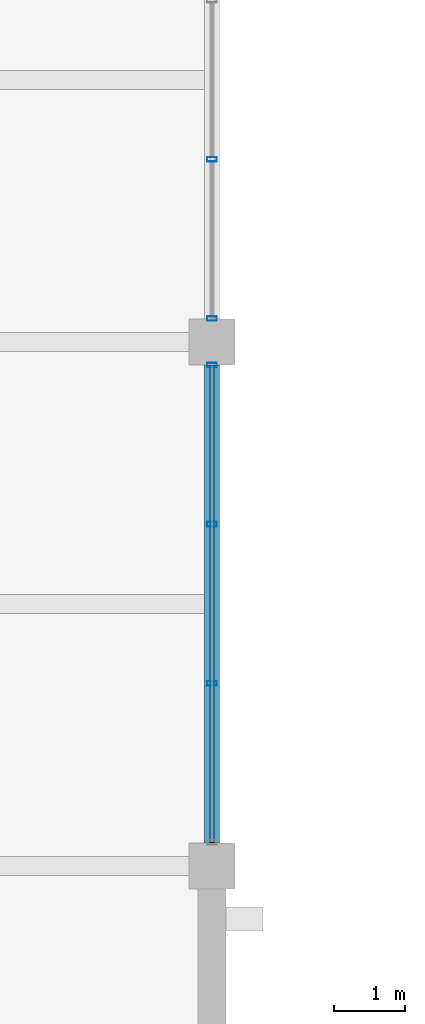
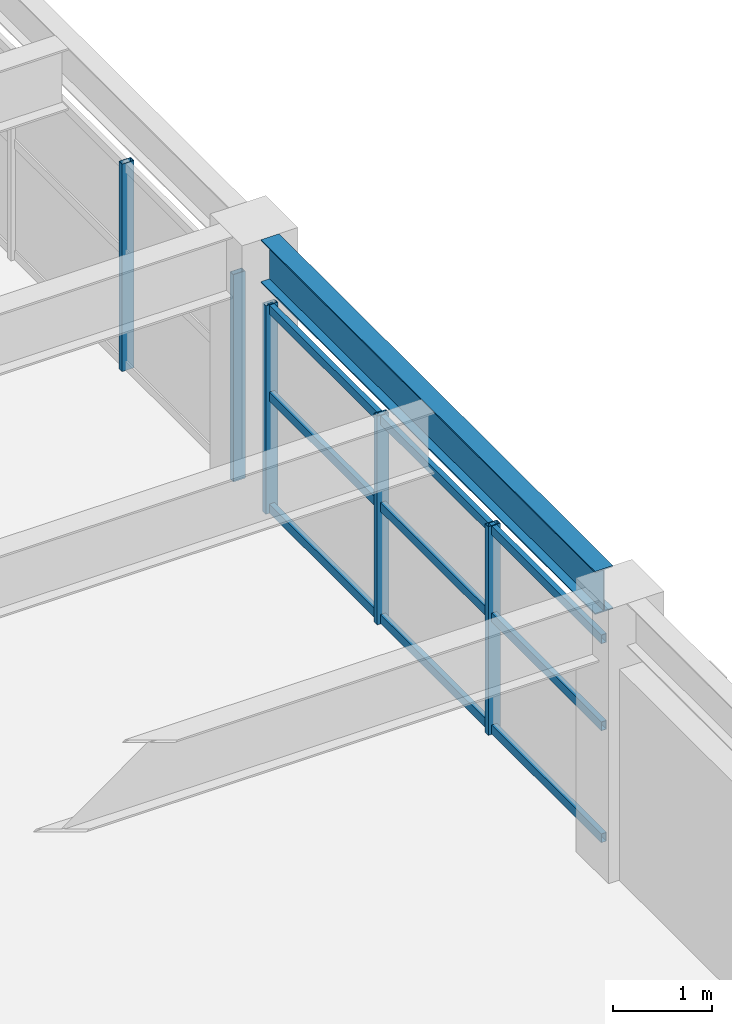
# One storey, part 38 of 93: 8 members, 1 beam, 2 elements without a shape of their own.
"""IFC4 building model written with IfcOpenShell, lengths in metres."""

from ifc_helpers import new_model, si_unit, direction, frame, origin, origin_2d, place, context, subcontext, project, spatial, hollow_rectangle, i_section, extrude, material, material_profile, profile_set, type_object, element, aggregate, save


model = new_model("IFC4")

# Units and contexts
model_context = context("Model", 3, precision=1e-05, world=origin(), true_north=direction((0.0, 1.0)))
body_context = subcontext(model_context, "Body", "Model", "MODEL_VIEW")
ifc_project = project(units=[si_unit("LENGTHUNIT", "METRE"), si_unit("AREAUNIT", "SQUARE_METRE"), si_unit("VOLUMEUNIT", "CUBIC_METRE"), si_unit("PLANEANGLEUNIT", "RADIAN"), si_unit("MASSUNIT", "GRAM", prefix="KILO")], contexts=[model_context])

# Site, building, storey
site_placement = place(None, origin())
site = spatial("IfcSite", under=ifc_project, at=site_placement, CompositionType="ELEMENT")
building_placement = place(site_placement, origin())
building = spatial("IfcBuilding", under=site, at=building_placement, Name="Cimatlan Art Gallery", CompositionType="ELEMENT")
storey_placement = place(building_placement, frame((0.0, 0.0, 13.800048828125)))
storey = spatial("IfcBuildingStorey", under=building, at=storey_placement, Name="L03", CompositionType="ELEMENT", Elevation=13.800048828125)

# Beam
ifc_material_1 = material(Name="Steel ASTM A992 Grade 50", Category="steel")
ifc_material_profile_1 = material_profile(ifc_material_1, i_section(OverallWidth=0.2099609375, OverallDepth=0.532958984375, WebThickness=0.01025390625, FlangeThickness=0.015625, at=origin_2d()), Name="W21X62")
ifc_profile_set_1 = profile_set([ifc_material_profile_1], Name="Steel ASTM A992 Grade 50")
beam_type = type_object("IfcBeamType", Name="BM-STL-W21X62", PredefinedType="BEAM", material=ifc_profile_set_1)
beam_placement = place(storey_placement, frame((99.199951171875, 39.02490234375, 3.113525390625), z_axis=(0.0, 1.0, 0.0), x_axis=(-1.0, 0.0, 0.0)))
element("IfcBeam", 1, at=beam_placement, inside=storey, type_object=beam_type, Name="BM-Y-L03-12-05", PredefinedType="BEAM", context=body_context, shape_type="SweptSolid", body=[
    extrude(i_section(OverallWidth=0.2099609375, OverallDepth=0.532958984375, WebThickness=0.01025390625, FlangeThickness=0.015625, at=origin_2d()), origin(), (0.0, 0.0, 1.0), 6.75),
])

# Curtain wall, members
ifc_material_2 = material(Name="Anodised bronze unitised curtain wall")
curtain_wall_type_1 = type_object("IfcCurtainWallType", Name="CW-V-06742X02573-B3", PredefinedType="NOTDEFINED", material=ifc_material_2)
curtain_wall_1_placement = place(storey_placement, origin())
curtain_wall_1 = element("IfcCurtainWall", 2, at=curtain_wall_1_placement, inside=storey, type_object=curtain_wall_type_1, Name="CW-L03-11-05-E", PredefinedType="NOTDEFINED")
ifc_material_3 = material(Name="Anodised bronze aluminium 6063-T6", Category="aluminium")
ifc_material_profile_2 = material_profile(ifc_material_3, hollow_rectangle(XDim=0.06494140625, YDim=0.139892578125, WallThickness=0.00390625, at=origin_2d()), Name="ALU65X140X4")
ifc_profile_set_2 = profile_set([ifc_material_profile_2], Name="Anodised bronze aluminium 6063-T6")
member_type_1 = type_object("IfcMemberType", Name="CW-MUL-140", PredefinedType="MULLION", material=ifc_profile_set_2)
member_1_placement = place(storey_placement, frame((99.199951171875, 45.77099609375, 0.0), z_axis=(0.0, 0.0, 1.0), x_axis=(0.0, 1.0, 0.0)))
member_1 = element("IfcMember", 3, at=member_1_placement, type_object=member_type_1, Name="CW-L03-11-05-E-M1", PredefinedType="MULLION", context=body_context, shape_type="SweptSolid", body=[
    extrude(hollow_rectangle(XDim=0.06494140625, YDim=0.139892578125, WallThickness=0.00390625, at=origin_2d()), origin(), (0.0, 0.0, 1.0), 2.572998046875),
])
member_2_placement = place(storey_placement, frame((99.199951171875, 43.523681640625, 0.0), z_axis=(0.0, 0.0, 1.0), x_axis=(0.0, 1.0, 0.0)))
member_2 = element("IfcMember", 4, at=member_2_placement, type_object=member_type_1, Name="CW-L03-11-05-E-M2", PredefinedType="MULLION", context=body_context, shape_type="SweptSolid", body=[
    extrude(hollow_rectangle(XDim=0.06494140625, YDim=0.139892578125, WallThickness=0.00390625, at=origin_2d()), origin(), (0.0, 0.0, 1.0), 2.572998046875),
])
member_3_placement = place(storey_placement, frame((99.199951171875, 41.2763671875, 0.0), z_axis=(0.0, 0.0, 1.0), x_axis=(0.0, 1.0, 0.0)))
member_3 = element("IfcMember", 5, at=member_3_placement, type_object=member_type_1, Name="CW-L03-11-05-E-M3", PredefinedType="MULLION", context=body_context, shape_type="SweptSolid", body=[
    extrude(hollow_rectangle(XDim=0.06494140625, YDim=0.139892578125, WallThickness=0.00390625, at=origin_2d()), origin(), (0.0, 0.0, 1.0), 2.572998046875),
])

curtain_wall_type_2 = type_object("IfcCurtainWallType", Name="CW-V-06742X02558-B3", PredefinedType="NOTDEFINED", material=ifc_material_2)
curtain_wall_2_placement = place(storey_placement, origin())
curtain_wall_2 = element("IfcCurtainWall", 6, at=curtain_wall_2_placement, inside=storey, type_object=curtain_wall_type_2, Name="CW-L03-11-06-E", PredefinedType="NOTDEFINED")
member_4_placement = place(storey_placement, frame((99.199951171875, 48.67626953125, 0.0), z_axis=(0.0, 0.0, 1.0), x_axis=(0.0, 1.0, 0.0)))
member_4 = element("IfcMember", 7, at=member_4_placement, type_object=member_type_1, Name="CW-L03-11-06-E-M3", PredefinedType="MULLION", context=body_context, shape_type="SweptSolid", body=[
    extrude(hollow_rectangle(XDim=0.06494140625, YDim=0.139892578125, WallThickness=0.00390625, at=origin_2d()), origin(), (0.0, 0.0, 1.0), 2.557861328125),
])
member_5_placement = place(storey_placement, frame((99.199951171875, 46.428955078125, 0.0), z_axis=(0.0, 0.0, 1.0), x_axis=(0.0, 1.0, 0.0)))
member_5 = element("IfcMember", 8, at=member_5_placement, type_object=member_type_1, Name="CW-L03-11-06-E-M4", PredefinedType="MULLION", context=body_context, shape_type="SweptSolid", body=[
    extrude(hollow_rectangle(XDim=0.06494140625, YDim=0.139892578125, WallThickness=0.00390625, at=origin_2d()), origin(), (0.0, 0.0, 1.0), 2.557861328125),
])
aggregate(curtain_wall_2, [member_4, member_5])

# Member
ifc_material_profile_3 = material_profile(ifc_material_3, hollow_rectangle(XDim=0.06005859375, YDim=0.110107421875, WallThickness=0.00341796875, at=origin_2d()), Name="ALU60X110X3")
ifc_profile_set_3 = profile_set([ifc_material_profile_3], Name="Anodised bronze aluminium 6063-T6")
member_type_2 = type_object("IfcMemberType", Name="CW-TRN-110", PredefinedType="USERDEFINED", material=ifc_profile_set_3)
member_6_placement = place(storey_placement, frame((99.199951171875, 45.77099609375, 0.06005859375), z_axis=(0.0, -1.0, 0.0), x_axis=(1.0, 0.0, 0.0)))
member_6 = element("IfcMember", 9, at=member_6_placement, type_object=member_type_2, Name="CW-L03-11-05-E-T1", ObjectType="TRANSOM", PredefinedType="USERDEFINED", context=body_context, shape_type="SweptSolid", body=[
    extrude(hollow_rectangle(XDim=0.06005859375, YDim=0.110107421875, WallThickness=0.00341796875, at=origin_2d()), origin(), (0.0, 0.0, 1.0), 6.741943359375),
])

member_7_placement = place(storey_placement, frame((99.199951171875, 45.77099609375, 1.44091796875), z_axis=(0.0, -1.0, 0.0), x_axis=(1.0, 0.0, 0.0)))
member_7 = element("IfcMember", 10, at=member_7_placement, type_object=member_type_2, Name="CW-L03-11-05-E-T2", ObjectType="TRANSOM", PredefinedType="USERDEFINED", context=body_context, shape_type="SweptSolid", body=[
    extrude(hollow_rectangle(XDim=0.06005859375, YDim=0.110107421875, WallThickness=0.00341796875, at=origin_2d()), origin(), (0.0, 0.0, 1.0), 6.741943359375),
])

member_8_placement = place(storey_placement, frame((99.199951171875, 45.77099609375, 2.512939453125), z_axis=(0.0, -1.0, 0.0), x_axis=(1.0, 0.0, 0.0)))
member_8 = element("IfcMember", 11, at=member_8_placement, type_object=member_type_2, Name="CW-L03-11-05-E-T3", ObjectType="TRANSOM", PredefinedType="USERDEFINED", context=body_context, shape_type="SweptSolid", body=[
    extrude(hollow_rectangle(XDim=0.06005859375, YDim=0.110107421875, WallThickness=0.00341796875, at=origin_2d()), origin(), (0.0, 0.0, 1.0), 6.741943359375),
])

aggregate(curtain_wall_1, [member_1, member_2, member_3, member_6, member_7, member_8])

save(model, "model.ifc")
